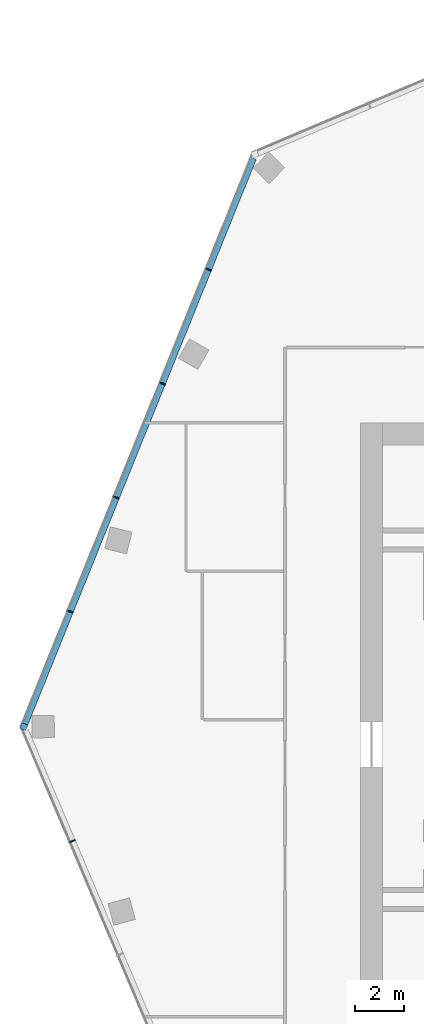
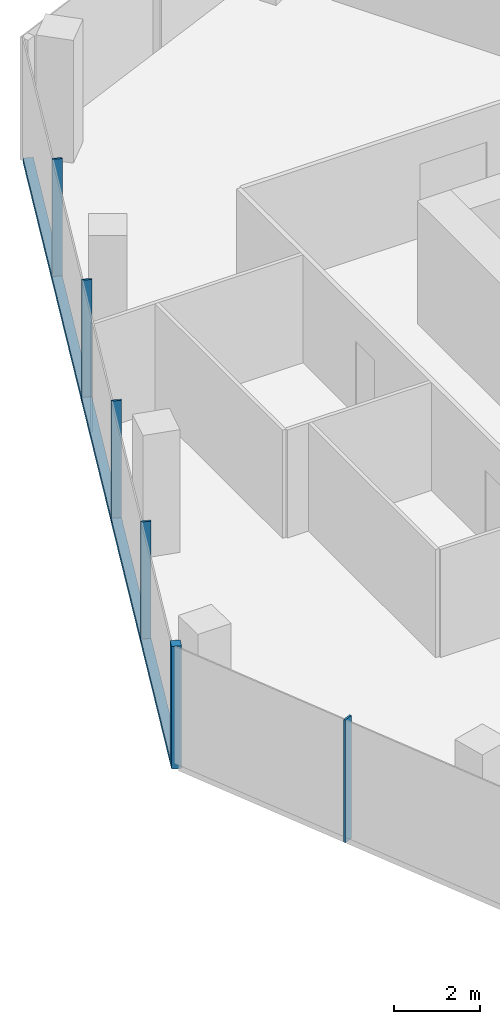
# One storey, part 6 of 16: 7 members, 2 elements without a shape of their own.
"""IFC4 building model written with IfcOpenShell, lengths in metres."""

from ifc_helpers import new_model, si_unit, direction, frame, origin, origin_2d, place, context, subcontext, project, spatial, rectangle, extrude, material, material_profile, profile_set, type_object, element, aggregate, save


model = new_model("IFC4")

# Units and contexts
model_context = context("Model", 3, precision=1e-05, world=origin(), true_north=direction((0.0, 1.0)))
body_context = subcontext(model_context, "Body", "Model", "MODEL_VIEW")
ifc_project = project(units=[si_unit("LENGTHUNIT", "METRE"), si_unit("AREAUNIT", "SQUARE_METRE"), si_unit("VOLUMEUNIT", "CUBIC_METRE"), si_unit("PLANEANGLEUNIT", "RADIAN"), si_unit("MASSUNIT", "GRAM", prefix="KILO")], contexts=[model_context])

# Site, building, storey
site_placement = place(None, origin())
site = spatial("IfcSite", under=ifc_project, at=site_placement, CompositionType="ELEMENT")
building_placement = place(site_placement, origin())
building = spatial("IfcBuilding", under=site, at=building_placement, Name="Orlundy Tower", CompositionType="ELEMENT")
storey_placement = place(building_placement, frame((0.0, 0.0, 285.89990234375)))
storey = spatial("IfcBuildingStorey", under=building, at=storey_placement, Name="L76", CompositionType="ELEMENT", Elevation=285.89990234375)

# Curtain wall, member
ifc_material_1 = material(Name="Aluminium bronze anodised", Category="aluminium")
curtain_wall_type = type_object("IfcCurtainWallType", Name="CW6 wall", PredefinedType="NOTDEFINED", material=ifc_material_1)
curtain_wall_1_placement = place(storey_placement, origin())
curtain_wall_1 = element("IfcCurtainWall", 1, at=curtain_wall_1_placement, inside=storey, type_object=curtain_wall_type, Name="CW6 run 015", PredefinedType="NOTDEFINED")
ifc_material_2 = material(Name="Aluminium bronze anodised", Category="aluminium")
ifc_material_profile_1 = material_profile(ifc_material_2, rectangle(XDim=0.239990234375, YDim=0.239990234375, at=origin_2d()), Name="CW6 corner post 240x240")
ifc_profile_set_1 = profile_set([ifc_material_profile_1], Name="Aluminium bronze anodised")
member_type_1 = type_object("IfcMemberType", Name="CW6 corner post 240x240", PredefinedType="MULLION", material=ifc_profile_set_1)
member_1_placement = place(storey_placement, frame((-32.600830078125, -0.2841796875, -0.39990234375), z_axis=(0.0, 0.0, 1.0), x_axis=(-0.927183523653, 0.374607412456, 0.0)))
member_1 = element("IfcMember", 2, at=member_1_placement, type_object=member_type_1, Name="CW6 mullion 27", PredefinedType="MULLION", context=body_context, shape_type="SweptSolid", body=[
    extrude(rectangle(XDim=0.239990234375, YDim=0.239990234375, at=origin_2d()), origin(), (0.0, 0.0, 1.0), 3.5),
])

curtain_wall_2_placement = place(storey_placement, origin())
curtain_wall_2 = element("IfcCurtainWall", 3, at=curtain_wall_2_placement, inside=storey, type_object=curtain_wall_type, Name="CW6 run 014", PredefinedType="NOTDEFINED")
ifc_material_3 = material(Name="Aluminium bronze anodised", Category="aluminium")
ifc_material_profile_2 = material_profile(ifc_material_3, rectangle(XDim=0.239990234375, YDim=0.050048828125, at=origin_2d()), Name="CW6 mullion 50x240")
ifc_profile_set_2 = profile_set([ifc_material_profile_2], Name="Aluminium bronze anodised")
member_type_2 = type_object("IfcMemberType", Name="CW6 mullion 50x240", PredefinedType="MULLION", material=ifc_profile_set_2)
member_2_placement = place(storey_placement, frame((-30.63916015625, -4.905517578125, -0.39990234375), z_axis=(0.0, 0.0, 1.0), x_axis=(-0.920506804854, -0.390726531244, 0.0)))
member_2 = element("IfcMember", 4, at=member_2_placement, type_object=member_type_2, Name="CW6 mullion 26", PredefinedType="MULLION", context=body_context, shape_type="SweptSolid", body=[
    extrude(rectangle(XDim=0.239990234375, YDim=0.050048828125, at=origin_2d()), origin(), (0.0, 0.0, 1.0), 3.5),
])
aggregate(curtain_wall_2, [member_2])

# Member
member_3_placement = place(storey_placement, frame((-30.72021484375, 4.37060546875, -0.39990234375), z_axis=(0.0, 0.0, 1.0), x_axis=(-0.927183523653, 0.374607412456, 0.0)))
member_3 = element("IfcMember", 5, at=member_3_placement, type_object=member_type_2, Name="CW6 mullion 28", PredefinedType="MULLION", context=body_context, shape_type="SweptSolid", body=[
    extrude(rectangle(XDim=0.239990234375, YDim=0.050048828125, at=origin_2d()), origin(), (0.0, 0.0, 1.0), 3.5),
])

member_4_placement = place(storey_placement, frame((-28.858154296875, 8.979248046875, -0.39990234375), z_axis=(0.0, 0.0, 1.0), x_axis=(-0.927183523653, 0.374607412456, 0.0)))
member_4 = element("IfcMember", 6, at=member_4_placement, type_object=member_type_2, Name="CW6 mullion 29", PredefinedType="MULLION", context=body_context, shape_type="SweptSolid", body=[
    extrude(rectangle(XDim=0.239990234375, YDim=0.050048828125, at=origin_2d()), origin(), (0.0, 0.0, 1.0), 3.5),
])

member_5_placement = place(storey_placement, frame((-26.996337890625, 13.587646484375, -0.39990234375), z_axis=(0.0, 0.0, 1.0), x_axis=(-0.927183523653, 0.374607412456, 0.0)))
member_5 = element("IfcMember", 7, at=member_5_placement, type_object=member_type_2, Name="CW6 mullion 30", PredefinedType="MULLION", context=body_context, shape_type="SweptSolid", body=[
    extrude(rectangle(XDim=0.239990234375, YDim=0.050048828125, at=origin_2d()), origin(), (0.0, 0.0, 1.0), 3.5),
])

member_6_placement = place(storey_placement, frame((-25.13427734375, 18.1962890625, -0.39990234375), z_axis=(0.0, 0.0, 1.0), x_axis=(-0.927183523653, 0.374607412456, 0.0)))
member_6 = element("IfcMember", 8, at=member_6_placement, type_object=member_type_2, Name="CW6 mullion 31", PredefinedType="MULLION", context=body_context, shape_type="SweptSolid", body=[
    extrude(rectangle(XDim=0.239990234375, YDim=0.050048828125, at=origin_2d()), origin(), (0.0, 0.0, 1.0), 3.5),
])

ifc_material_4 = material(Name="Aluminium bronze anodised", Category="aluminium")
ifc_material_profile_3 = material_profile(ifc_material_4, rectangle(XDim=0.239990234375, YDim=0.159912109375, at=origin_2d()), Name="CW6 transom 240x160")
ifc_profile_set_3 = profile_set([ifc_material_profile_3], Name="Aluminium bronze anodised")
member_type_3 = type_object("IfcMemberType", Name="CW6 transom 240x160", PredefinedType="USERDEFINED", material=ifc_profile_set_3)
member_7_placement = place(storey_placement, frame((-32.555908203125, -0.1728515625, -0.31982421875), z_axis=(0.374610845619, 0.927182136554, 0.0), x_axis=(-0.927182136554, 0.374610845619, 0.0)))
member_7 = element("IfcMember", 9, at=member_7_placement, type_object=member_type_3, Name="CW6 transom", ObjectType="TRANSOM", PredefinedType="USERDEFINED", context=body_context, shape_type="SweptSolid", body=[
    extrude(rectangle(XDim=0.239990234375, YDim=0.159912109375, at=origin_2d()), origin(), (0.0, 0.0, 1.0), 24.662353515625),
])

aggregate(curtain_wall_1, [member_1, member_3, member_4, member_5, member_6, member_7])

save(model, "model.ifc")
